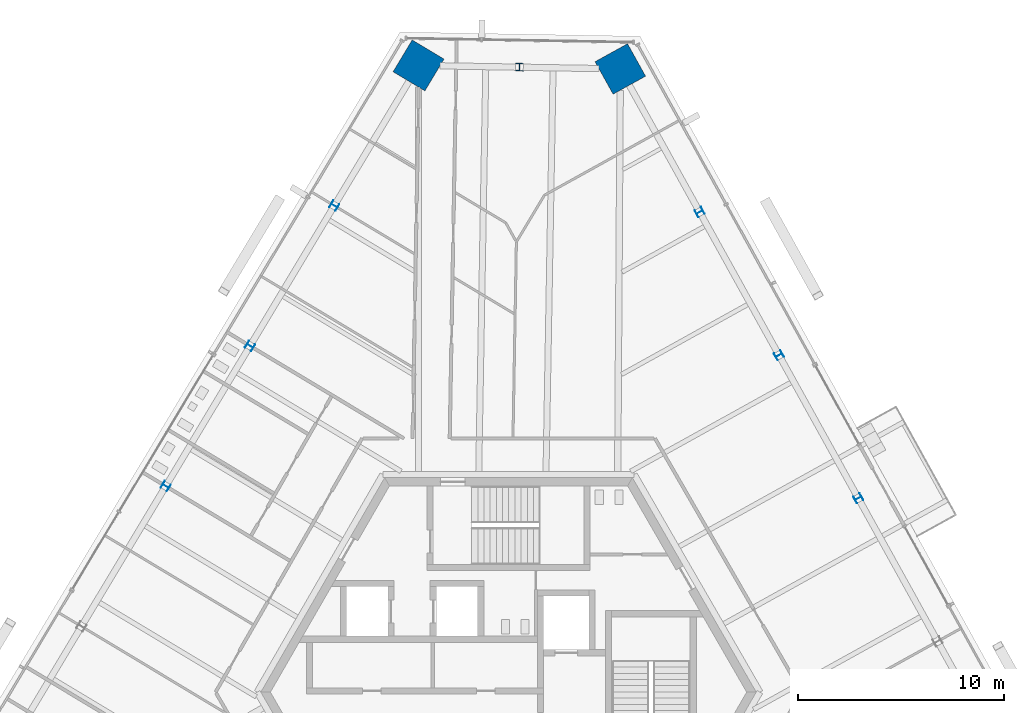
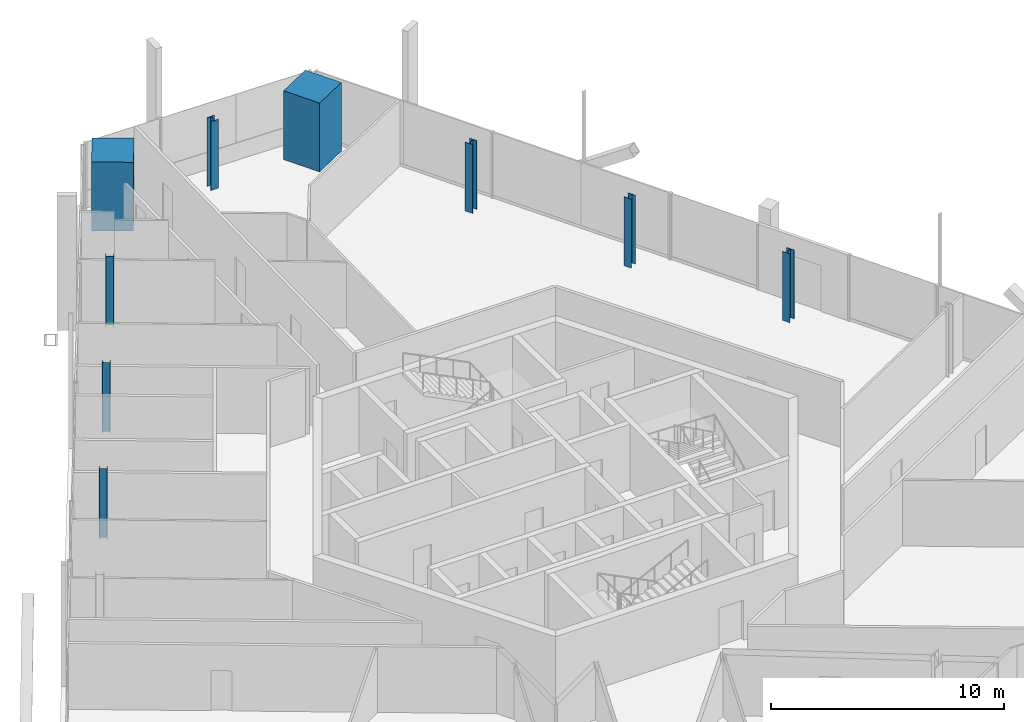
# One storey, part 3 of 21: 9 columns.
"""IFC4 building model written with IfcOpenShell, lengths in metres."""

from ifc_helpers import new_model, si_unit, direction, frame, origin, origin_2d, place, context, subcontext, project, spatial, rectangle, i_section, extrude, source, transform, mapped, material, material_profile, profile_set, type_object, element, save


model = new_model("IFC4")

# Units and contexts
model_context = context("Model", 3, precision=1e-05, world=origin(), true_north=direction((0.0, 1.0)))
body_context = subcontext(model_context, "Body", "Model", "MODEL_VIEW")
ifc_project = project(units=[si_unit("LENGTHUNIT", "METRE"), si_unit("AREAUNIT", "SQUARE_METRE"), si_unit("VOLUMEUNIT", "CUBIC_METRE"), si_unit("PLANEANGLEUNIT", "RADIAN"), si_unit("MASSUNIT", "GRAM", prefix="KILO")], contexts=[model_context])

# Site, building, storey
site_placement = place(None, origin())
site = spatial("IfcSite", under=ifc_project, at=site_placement, CompositionType="ELEMENT")
building_placement = place(site_placement, origin())
building = spatial("IfcBuilding", under=site, at=building_placement, Name="Triune Harvest Tower", CompositionType="ELEMENT")
storey_placement = place(building_placement, frame((0.0, 0.0, 187.10009765625)))
storey = spatial("IfcBuildingStorey", under=building, at=storey_placement, Name="L48", CompositionType="ELEMENT", Elevation=187.10009765625)

# Columns
ifc_material_1 = material(Name="Concrete 70 MPa", Category="concrete")
ifc_material_profile_1 = material_profile(ifc_material_1, rectangle(XDim=1.800048828125, YDim=1.800048828125, at=origin_2d()), Name="Composite 1800x1800")
ifc_profile_set_1 = profile_set([ifc_material_profile_1], Name="Concrete 70 MPa")
column_type_1 = type_object("IfcColumnType", Name="MC-5 Mega column Composite 1800x1800", PredefinedType="COLUMN", material=ifc_profile_set_1)
shared_shape_1 = source(origin(), body_context, "Body", "SweptSolid", [
    extrude(rectangle(XDim=1.800048828125, YDim=1.800048828125, at=origin_2d()), origin(), (0.0, 0.0, 1.0), 3.599853515625),
])
for number, where, z_axis, x_axis, name in (
    (1, (5.416015625, 30.193115234375, 0.0), (0.0, 0.0, 1.0), (-0.484809620246, 0.874619707139, 0.0), "col/L48/M6"),
    (2, (-4.359130859375, 30.36376953125, 0.0), (0.0, 0.0, 1.0), (-0.51503657887, -0.857168199612, 0.0), "col/L48/M8"),
):
    element("IfcColumn", number, at=place(storey_placement, frame(where, z_axis=z_axis, x_axis=x_axis)), inside=storey, type_object=column_type_1, Name=name, PredefinedType="COLUMN", context=body_context, shape_type="MappedRepresentation", body=[
        mapped(shared_shape_1, transform((0.0, 0.0, 0.0), scale=1.0)),
    ])
ifc_material_2 = material(Name="Steel ASTM A992 Gr 50", Category="steel")
ifc_material_profile_2 = material_profile(ifc_material_2, i_section(OverallWidth=0.370849609375, OverallDepth=0.36328125, WebThickness=0.013427734375, FlangeThickness=0.021728515625, at=origin_2d()), Name="W14x109")
ifc_profile_set_2 = profile_set([ifc_material_profile_2], Name="Steel ASTM A992 Gr 50")
column_type_2 = type_object("IfcColumnType", Name="PC-5 Perimeter column W14x109", PredefinedType="COLUMN", material=ifc_profile_set_2)
shared_shape_2 = source(origin(), body_context, "Body", "SweptSolid", [
    extrude(i_section(OverallWidth=0.370849609375, OverallDepth=0.36328125, WebThickness=0.013427734375, FlangeThickness=0.021728515625, at=origin_2d()), origin(), (0.0, 0.0, 1.0), 3.599853515625),
])
for number, where, z_axis, x_axis, name in (
    (3, (16.94580078125, 9.39306640625, 0.0), (0.0, 0.0, 1.0), (-0.484809620246, 0.874619707139, 0.0), "col/L48/P3"),
    (4, (13.1025390625, 16.326416015625, 0.0), (0.0, 0.0, 1.0), (-0.484809620246, 0.874619707139, 0.0), "col/L48/P4"),
    (5, (9.25927734375, 23.259765625, 0.0), (0.0, 0.0, 1.0), (-0.484809620246, 0.874619707139, 0.0), "col/L48/P5"),
    (6, (0.528564453125, 30.2783203125, 0.0), (0.0, 0.0, 1.0), (-0.999847725615, 0.017450661374, 0.0), "col/L48/P7"),
    (7, (-8.44189453125, 23.568603515625, 0.0), (0.0, 0.0, 1.0), (-0.51503657887, -0.857168199612, 0.0), "col/L48/P9"),
    (8, (-12.524658203125, 16.773681640625, 0.0), (0.0, 0.0, 1.0), (-0.51503657887, -0.857168199612, 0.0), "col/L48/P10"),
    (9, (-16.607421875, 9.978759765625, 0.0), (0.0, 0.0, 1.0), (-0.51503657887, -0.857168199612, 0.0), "col/L48/P11"),
):
    element("IfcColumn", number, at=place(storey_placement, frame(where, z_axis=z_axis, x_axis=x_axis)), inside=storey, type_object=column_type_2, Name=name, PredefinedType="COLUMN", context=body_context, shape_type="MappedRepresentation", body=[
        mapped(shared_shape_2, transform((0.0, 0.0, 0.0), scale=1.0)),
    ])

save(model, "model.ifc")
